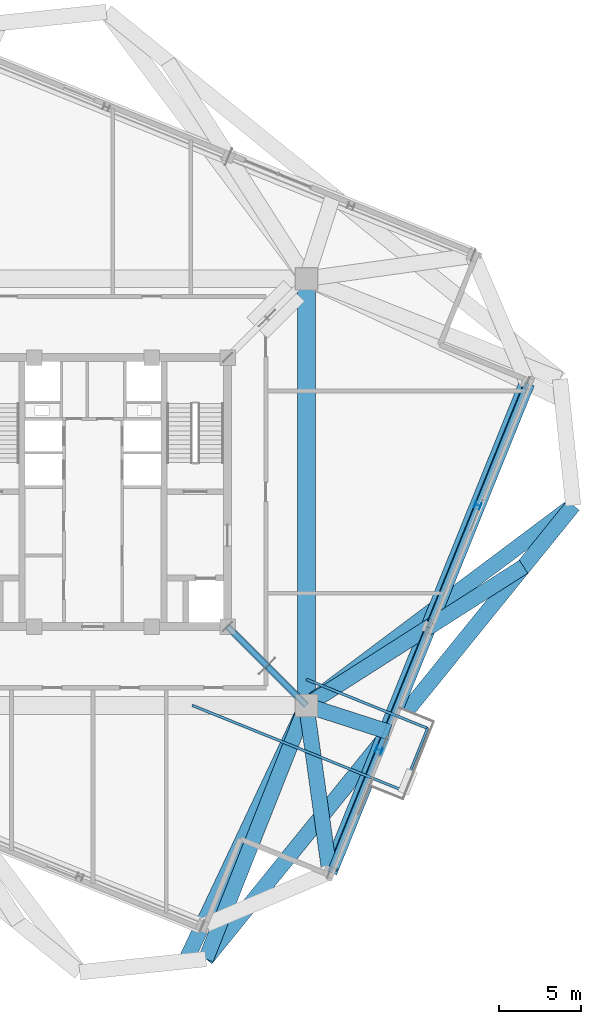
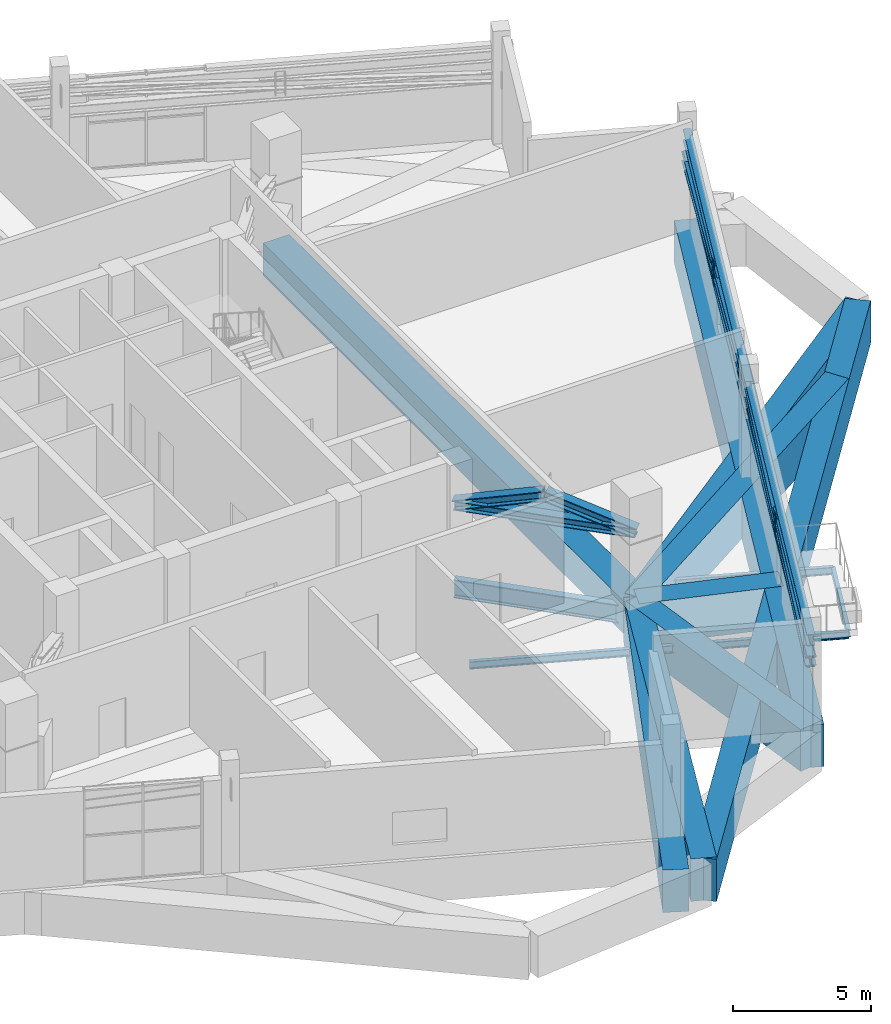
# One storey, part 6 of 20: 15 beams, 11 members.
"""IFC4 building model written with IfcOpenShell, lengths in metres."""

from ifc_helpers import new_model, si_unit, direction, frame, origin, origin_2d, place, context, subcontext, project, spatial, rectangle, i_section, extrude, source, transform, mapped, material, material_profile, profile_set, type_object, element, save


model = new_model("IFC4")

# Units and contexts
model_context = context("Model", 3, precision=1e-05, world=origin(), true_north=direction((0.0, 1.0)))
body_context = subcontext(model_context, "Body", "Model", "MODEL_VIEW")
ifc_project = project(units=[si_unit("LENGTHUNIT", "METRE"), si_unit("AREAUNIT", "SQUARE_METRE"), si_unit("VOLUMEUNIT", "CUBIC_METRE"), si_unit("PLANEANGLEUNIT", "RADIAN"), si_unit("MASSUNIT", "GRAM", prefix="KILO"), si_unit("THERMODYNAMICTEMPERATUREUNIT", "KELVIN")], contexts=[model_context])

# Site, building, storey
site_placement = place(None, origin())
site = spatial("IfcSite", under=ifc_project, at=site_placement, CompositionType="ELEMENT")
building_placement = place(site_placement, origin())
building = spatial("IfcBuilding", under=site, at=building_placement, Name="Kosmvard Interchange Tower", CompositionType="ELEMENT")
storey_placement = place(building_placement, frame((0.0, 0.0, 260.199951171875)))
storey = spatial("IfcBuildingStorey", under=building, at=storey_placement, Name="L63", CompositionType="ELEMENT", Elevation=260.199951171875)

# Beams
ifc_material_1 = material(Name="Concrete C70/85", Category="concrete")
ifc_material_profile_1 = material_profile(ifc_material_1, rectangle(XDim=1.10009765625, YDim=1.43994140625, at=origin_2d()), Name="TG 1100x1440")
ifc_profile_set_1 = profile_set([ifc_material_profile_1], Name="Concrete C70/85")
beam_type_1 = type_object("IfcBeamType", Name="Mega-Frame Transfer Ring Girder 1100x1440 C70/85", PredefinedType="USERDEFINED", material=ifc_profile_set_1)
shared_shape_1 = source(origin(), body_context, "Body", "SweptSolid", [
    extrude(rectangle(XDim=1.10009765625, YDim=1.43994140625, at=origin_2d()), origin(), (0.0, 0.0, 1.0), 26.162109375),
])
beam_1_placement = place(storey_placement, frame((13.0810546875, -13.0810546875, -0.719970703125), z_axis=(0.0, 1.0, 0.0), x_axis=(-1.0, 0.0, 0.0)))
element("IfcBeam", 1, at=beam_1_placement, inside=storey, type_object=beam_type_1, Name="L63 Mega-Column Ring Girder 2", ObjectType="TRANSFER_GIRDER", PredefinedType="USERDEFINED", context=body_context, shape_type="MappedRepresentation", body=[
    mapped(shared_shape_1, transform((0.0, 0.0, 0.0), scale=1.0)),
])
ifc_material_2 = material(Name="Steel S355", Category="steel")
ifc_material_profile_2 = material_profile(ifc_material_2, i_section(OverallWidth=0.14990234375, OverallDepth=0.300048828125, WebThickness=0.007080078125, FlangeThickness=0.0107421875, FilletRadius=0.014892578125, at=origin_2d()), Name="IPE 300")
ifc_profile_set_2 = profile_set([ifc_material_profile_2], Name="Steel S355")
beam_type_2 = type_object("IfcBeamType", Name="Balcony Edge Header Joist IPE 300 S355", PredefinedType="JOIST", material=ifc_profile_set_2)
shared_shape_2 = source(origin(), body_context, "Body", "SweptSolid", [
    extrude(i_section(OverallWidth=0.14990234375, OverallDepth=0.300048828125, WebThickness=0.007080078125, FlangeThickness=0.0107421875, FilletRadius=0.014892578125, at=origin_2d()), origin(), (0.0, 0.0, 1.0), 4.10009765625),
])
beam_2_placement = place(storey_placement, frame((18.979736328125, -18.2919921875, -0.550048828125), z_axis=(0.37460186541, 0.927185764791, 0.0), x_axis=(-0.927185764791, 0.37460186541, 0.0)))
element("IfcBeam", 2, at=beam_2_placement, inside=storey, type_object=beam_type_2, Name="BM-L63-BJH2", PredefinedType="JOIST", context=body_context, shape_type="MappedRepresentation", body=[
    mapped(shared_shape_2, transform((0.0, 0.0, 0.0), scale=1.0)),
])

# Member
ifc_material_3 = material(Name="Steel S460", Category="steel")
ifc_material_profile_3 = material_profile(ifc_material_3, i_section(OverallWidth=0.40087890625, OverallDepth=0.39892578125, WebThickness=0.0185546875, FlangeThickness=0.028076171875, FilletRadius=0.014892578125, at=origin_2d()), Name="HD 400x314")
ifc_profile_set_3 = profile_set([ifc_material_profile_3], Name="Steel S460")
member_type_1 = type_object("IfcMemberType", Name="Outrigger Top and Bottom Chord HD 400x314 S460", PredefinedType="CHORD", material=ifc_profile_set_3)
shared_shape_3 = source(origin(), body_context, "Body", "SweptSolid", [
    extrude(i_section(OverallWidth=0.40087890625, OverallDepth=0.39892578125, WebThickness=0.0185546875, FlangeThickness=0.028076171875, FilletRadius=0.014892578125, at=origin_2d()), origin(), (0.0, 0.0, 1.0), 6.83203125),
])
member_placement = place(storey_placement, frame((8.25, -8.25, 2.920166015625), z_axis=(0.707106781187, -0.707106781187, 0.0), x_axis=(0.707106781187, 0.707106781187, 0.0)))
element("IfcMember", 3, at=member_placement, inside=storey, type_object=member_type_1, Name="L63 Outrigger Bottom Chord 2", PredefinedType="CHORD", context=body_context, shape_type="MappedRepresentation", body=[
    mapped(shared_shape_3, transform((0.0, 0.0, 0.0), scale=1.0)),
])

# Beams
ifc_material_profile_4 = material_profile(ifc_material_2, i_section(OverallWidth=0.300048828125, OverallDepth=0.800048828125, WebThickness=0.017578125, FlangeThickness=0.032958984375, FilletRadius=0.027099609375, at=origin_2d()), Name="HEB 800")
ifc_profile_set_4 = profile_set([ifc_material_profile_4], Name="Steel S355")
beam_type_3 = type_object("IfcBeamType", Name="Primary Mega-Frame Girder HEB 800 S355", PredefinedType="BEAM", material=ifc_profile_set_4)
shared_shape_4 = source(origin(), body_context, "Body", "SweptSolid", [
    extrude(i_section(OverallWidth=0.300048828125, OverallDepth=0.800048828125, WebThickness=0.017578125, FlangeThickness=0.032958984375, FilletRadius=0.027099609375, at=origin_2d()), origin(), (0.0, 0.0, 1.0), 6.83203125),
])
beam_3_placement = place(storey_placement, frame((8.25, -8.25, -0.800048828125), z_axis=(0.707106781187, -0.707106781187, 0.0), x_axis=(0.707106781187, 0.707106781187, 0.0)))
element("IfcBeam", 4, at=beam_3_placement, inside=storey, type_object=beam_type_3, Name="L63 Radial Mega-Frame Girder 2", PredefinedType="BEAM", context=body_context, shape_type="MappedRepresentation", body=[
    mapped(shared_shape_4, transform((0.0, 0.0, 0.0), scale=1.0)),
])
ifc_material_4 = material(Name="Concrete C60/75", Category="concrete")
ifc_material_profile_5 = material_profile(ifc_material_4, rectangle(XDim=0.949951171875, YDim=1.8798828125, at=origin_2d()), Name="TG 950x1880")
ifc_profile_set_5 = profile_set([ifc_material_profile_5], Name="Concrete C60/75")
beam_type_4 = type_object("IfcBeamType", Name="Upper Long-Span Transfer Girder 950x1880 C60/75", PredefinedType="USERDEFINED", material=ifc_profile_set_5)
shared_shape_5 = source(origin(), body_context, "Body", "SweptSolid", [
    extrude(rectangle(XDim=0.949951171875, YDim=1.8798828125, at=origin_2d()), origin(), (0.0, 0.0, 1.0), 17.89990234375),
])
for number, where, z_axis, x_axis, name in (
    (5, (6.92041015625, -28.636962890625, -0.93994140625), (0.629322990554, 0.777143856413, 0.0), (-0.777143856413, 0.629322990554, 0.0), "BM-L63-LR01"),
    (6, (18.185302734375, -14.72607421875, -0.93994140625), (0.629314753061, 0.777150526976, 0.0), (-0.777150526976, 0.629314753061, 0.0), "BM-L63-LR02"),
):
    element("IfcBeam", number, at=place(storey_placement, frame(where, z_axis=z_axis, x_axis=x_axis)), inside=storey, type_object=beam_type_4, Name=name, ObjectType="TRANSFER_GIRDER", PredefinedType="USERDEFINED", context=body_context, shape_type="MappedRepresentation", body=[
        mapped(shared_shape_5, transform((0.0, 0.0, 0.0), scale=1.0)),
    ])
shared_shape_6 = source(origin(), body_context, "Body", "SweptSolid", [
    extrude(rectangle(XDim=0.949951171875, YDim=1.8798828125, at=origin_2d()), origin(), (0.0, 0.0, 1.0), 16.7314453125),
])
beam_4_placement = place(storey_placement, frame((13.0810546875, -13.0810546875, -0.93994140625), z_axis=(-0.368208500474, -0.929743244223, 0.0), x_axis=(0.929743244223, -0.368208500474, 0.0)))
element("IfcBeam", 7, at=beam_4_placement, inside=storey, type_object=beam_type_4, Name="BM-L63-LD01", ObjectType="TRANSFER_GIRDER", PredefinedType="USERDEFINED", context=body_context, shape_type="MappedRepresentation", body=[
    mapped(shared_shape_6, transform((0.0, 0.0, 0.0), scale=1.0)),
])
ifc_material_profile_6 = material_profile(ifc_material_4, rectangle(XDim=0.949951171875, YDim=1.85009765625, at=origin_2d()), Name="TG 950x1850")
ifc_profile_set_6 = profile_set([ifc_material_profile_6], Name="Concrete C60/75")
beam_type_5 = type_object("IfcBeamType", Name="Upper Transfer Ring Girder 950x1850 C60/75", PredefinedType="USERDEFINED", material=ifc_profile_set_6)
shared_shape_7 = source(origin(), body_context, "Body", "SweptSolid", [
    extrude(rectangle(XDim=0.949951171875, YDim=1.85009765625, at=origin_2d()), origin(), (0.0, 0.0, 1.0), 5.36279296875),
])
beam_5_placement = place(storey_placement, frame((13.0810546875, -13.0810546875, -0.925048828125), z_axis=(0.951790966135, -0.306747382686, 0.0), x_axis=(0.306747382686, 0.951790966135, 0.0)))
element("IfcBeam", 8, at=beam_5_placement, inside=storey, type_object=beam_type_5, Name="BM-L63-LD02", ObjectType="TRANSFER_GIRDER", PredefinedType="USERDEFINED", context=body_context, shape_type="MappedRepresentation", body=[
    mapped(shared_shape_7, transform((0.0, 0.0, 0.0), scale=1.0)),
])
shared_shape_8 = source(origin(), body_context, "Body", "SweptSolid", [
    extrude(rectangle(XDim=0.949951171875, YDim=1.8798828125, at=origin_2d()), origin(), (0.0, 0.0, 1.0), 20.45458984375),
])
beam_6_placement = place(storey_placement, frame((13.0810546875, -13.0810546875, -0.93994140625), z_axis=(0.800253443036, 0.599661927179, 0.0), x_axis=(-0.599661927179, 0.800253443036, 0.0)))
element("IfcBeam", 9, at=beam_6_placement, inside=storey, type_object=beam_type_4, Name="BM-L63-LD03", ObjectType="TRANSFER_GIRDER", PredefinedType="USERDEFINED", context=body_context, shape_type="MappedRepresentation", body=[
    mapped(shared_shape_8, transform((0.0, 0.0, 0.0), scale=1.0)),
])
shared_shape_9 = source(origin(), body_context, "Body", "SweptSolid", [
    extrude(rectangle(XDim=0.949951171875, YDim=1.85009765625, at=origin_2d()), origin(), (0.0, 0.0, 1.0), 10.3212890625),
])
beam_7_placement = place(storey_placement, frame((13.0810546875, -13.0810546875, -0.925048828125), z_axis=(0.137572239014, -0.990491735984, 0.0), x_axis=(0.990491735984, 0.137572239014, 0.0)))
element("IfcBeam", 10, at=beam_7_placement, inside=storey, type_object=beam_type_5, Name="BM-L63-RD01", ObjectType="TRANSFER_GIRDER", PredefinedType="USERDEFINED", context=body_context, shape_type="MappedRepresentation", body=[
    mapped(shared_shape_9, transform((0.0, 0.0, 0.0), scale=1.0)),
])
shared_shape_10 = source(origin(), body_context, "Body", "SweptSolid", [
    extrude(rectangle(XDim=0.949951171875, YDim=1.8798828125, at=origin_2d()), origin(), (0.0, 0.0, 1.0), 16.175048828125),
])
beam_8_placement = place(storey_placement, frame((14.5009765625, -23.30419921875, -0.93994140625), z_axis=(0.374607540279, 0.927183472009, 0.0), x_axis=(-0.927183472009, 0.374607540279, 0.0)))
element("IfcBeam", 11, at=beam_8_placement, inside=storey, type_object=beam_type_4, Name="BM-L63-PR01", ObjectType="TRANSFER_GIRDER", PredefinedType="USERDEFINED", context=body_context, shape_type="MappedRepresentation", body=[
    mapped(shared_shape_10, transform((0.0, 0.0, 0.0), scale=1.0)),
])
shared_shape_11 = source(origin(), body_context, "Body", "SweptSolid", [
    extrude(rectangle(XDim=0.949951171875, YDim=1.8798828125, at=origin_2d()), origin(), (0.0, 0.0, 1.0), 15.8056640625),
])
beam_9_placement = place(storey_placement, frame((13.0810546875, -13.0810546875, -0.93994140625), z_axis=(0.842914607975, 0.538047361913, 0.0), x_axis=(-0.538047361913, 0.842914607975, 0.0)))
element("IfcBeam", 12, at=beam_9_placement, inside=storey, type_object=beam_type_4, Name="BM-L63-RD02", ObjectType="TRANSFER_GIRDER", PredefinedType="USERDEFINED", context=body_context, shape_type="MappedRepresentation", body=[
    mapped(shared_shape_11, transform((0.0, 0.0, 0.0), scale=1.0)),
])
shared_shape_12 = source(origin(), body_context, "Body", "SweptSolid", [
    extrude(rectangle(XDim=0.949951171875, YDim=1.8798828125, at=origin_2d()), origin(), (0.0, 0.0, 1.0), 16.1748046875),
])
beam_10_placement = place(storey_placement, frame((20.560302734375, -8.306884765625, -0.93994140625), z_axis=(0.374612782798, 0.92718135387, 0.0), x_axis=(-0.92718135387, 0.374612782798, 0.0)))
element("IfcBeam", 13, at=beam_10_placement, inside=storey, type_object=beam_type_4, Name="BM-L63-PR02", ObjectType="TRANSFER_GIRDER", PredefinedType="USERDEFINED", context=body_context, shape_type="MappedRepresentation", body=[
    mapped(shared_shape_12, transform((0.0, 0.0, 0.0), scale=1.0)),
])
shared_shape_13 = source(origin(), body_context, "Body", "SweptSolid", [
    extrude(rectangle(XDim=0.949951171875, YDim=1.8798828125, at=origin_2d()), origin(), (0.0, 0.0, 1.0), 17.3466796875),
])
beam_11_placement = place(storey_placement, frame((13.0810546875, -13.0810546875, -0.93994140625), z_axis=(-0.426871720747, -0.904312188366, 0.0), x_axis=(0.904312188366, -0.426871720747, 0.0)))
element("IfcBeam", 14, at=beam_11_placement, inside=storey, type_object=beam_type_4, Name="BM-L63-RD12", ObjectType="TRANSFER_GIRDER", PredefinedType="USERDEFINED", context=body_context, shape_type="MappedRepresentation", body=[
    mapped(shared_shape_13, transform((0.0, 0.0, 0.0), scale=1.0)),
])
ifc_material_profile_7 = material_profile(ifc_material_2, i_section(OverallWidth=0.159912109375, OverallDepth=0.330078125, WebThickness=0.007568359375, FlangeThickness=0.011474609375, FilletRadius=0.01806640625, at=origin_2d()), Name="IPE 330")
ifc_profile_set_7 = profile_set([ifc_material_profile_7], Name="Steel S355")
beam_type_6 = type_object("IfcBeamType", Name="Balcony Cantilever Joist IPE 330 S355", PredefinedType="JOIST", material=ifc_profile_set_7)
shared_shape_14 = source(origin(), body_context, "Body", "SweptSolid", [
    extrude(i_section(OverallWidth=0.159912109375, OverallDepth=0.330078125, WebThickness=0.007568359375, FlangeThickness=0.011474609375, FilletRadius=0.01806640625, at=origin_2d()), origin(), (0.0, 0.0, 1.0), 13.910400390625),
])
beam_12_placement = place(storey_placement, frame((6.082275390625, -13.0810546875, -0.56494140625), z_axis=(0.927183229475, -0.374608140568, 0.0), x_axis=(0.374608140568, 0.927183229475, 0.0)))
element("IfcBeam", 15, at=beam_12_placement, inside=storey, type_object=beam_type_6, Name="BM-L63-BJ2", PredefinedType="JOIST", context=body_context, shape_type="MappedRepresentation", body=[
    mapped(shared_shape_14, transform((0.0, 0.0, 0.0), scale=1.0)),
])
shared_shape_15 = source(origin(), body_context, "Body", "SweptSolid", [
    extrude(i_section(OverallWidth=0.159912109375, OverallDepth=0.330078125, WebThickness=0.007568359375, FlangeThickness=0.011474609375, FilletRadius=0.01806640625, at=origin_2d()), origin(), (0.0, 0.0, 1.0), 8.0185546875),
])
beam_13_placement = place(storey_placement, frame((13.0810546875, -11.486572265625, -0.56494140625), z_axis=(0.927177579424, -0.374622124564, 0.0), x_axis=(0.374622124564, 0.927177579424, 0.0)))
element("IfcBeam", 16, at=beam_13_placement, inside=storey, type_object=beam_type_6, Name="BM-L63-BJB2", PredefinedType="JOIST", context=body_context, shape_type="MappedRepresentation", body=[
    mapped(shared_shape_15, transform((0.0, 0.0, 0.0), scale=1.0)),
])

# Members
ifc_material_profile_8 = material_profile(ifc_material_3, i_section(OverallWidth=0.408935546875, OverallDepth=0.425048828125, WebThickness=0.02392578125, FlangeThickness=0.0390625, FilletRadius=0.014892578125, at=origin_2d()), Name="HD 400x421")
ifc_profile_set_8 = profile_set([ifc_material_profile_8], Name="Steel S460")
member_type_2 = type_object("IfcMemberType", Name="Radial Outrigger Diagonal HD 400x421 S460", PredefinedType="BRACE", material=ifc_profile_set_8)
shared_shape_16 = source(origin(), body_context, "Body", "SweptSolid", [
    extrude(i_section(OverallWidth=0.408935546875, OverallDepth=0.425048828125, WebThickness=0.02392578125, FlangeThickness=0.0390625, FilletRadius=0.014892578125, at=origin_2d()), origin(), (0.0, 0.0, 1.0), 3.56787109375),
])
for number, where, z_axis, x_axis, name in (
    (17, (8.25, -8.25, 2.920166015625), (0.677014108708, -0.677014108708, 0.288623965083), (0.707106781187, 0.707106781187, 0.0), "L63 Outrigger Diagonal 2A"),
    (18, (10.66552734375, -10.66552734375, 3.949951171875), (0.677014108708, -0.677014108708, -0.288623965083), (0.707106781187, 0.707106781187, 0.0), "L63 Outrigger Diagonal 2B"),
):
    element("IfcMember", number, at=place(storey_placement, frame(where, z_axis=z_axis, x_axis=x_axis)), inside=storey, type_object=member_type_2, Name=name, PredefinedType="BRACE", context=body_context, shape_type="MappedRepresentation", body=[
        mapped(shared_shape_16, transform((0.0, 0.0, 0.0), scale=1.0)),
    ])
ifc_material_profile_9 = material_profile(ifc_material_3, i_section(OverallWidth=0.300048828125, OverallDepth=0.5, WebThickness=0.014404296875, FlangeThickness=0.028076171875, FilletRadius=0.027099609375, at=origin_2d()), Name="HEB 500")
ifc_profile_set_9 = profile_set([ifc_material_profile_9], Name="Steel S460")
member_type_3 = type_object("IfcMemberType", Name="Belt Truss Chord HEB 500 S460", PredefinedType="CHORD", material=ifc_profile_set_9)
shared_shape_17 = source(origin(), body_context, "Body", "SweptSolid", [
    extrude(i_section(OverallWidth=0.300048828125, OverallDepth=0.5, WebThickness=0.014404296875, FlangeThickness=0.028076171875, FilletRadius=0.027099609375, at=origin_2d()), origin(), (0.0, 0.0, 1.0), 16.175048828125),
])
for number, where, z_axis, x_axis, name in (
    (19, (14.5009765625, -23.30419921875, 2.820068359375), (0.374607540279, 0.927183472009, 0.0), (-0.927183472009, 0.374607540279, 0.0), "L63 Belt Truss Bottom Chord S1"),
    (20, (14.5009765625, -23.30419921875, 3.77001953125), (0.374607540279, 0.927183472009, 0.0), (-0.927183472009, 0.374607540279, 0.0), "L63 Belt Truss Top Chord S1"),
):
    element("IfcMember", number, at=place(storey_placement, frame(where, z_axis=z_axis, x_axis=x_axis)), inside=storey, type_object=member_type_3, Name=name, PredefinedType="CHORD", context=body_context, shape_type="MappedRepresentation", body=[
        mapped(shared_shape_17, transform((0.0, 0.0, 0.0), scale=1.0)),
    ])
shared_shape_18 = source(origin(), body_context, "Body", "SweptSolid", [
    extrude(i_section(OverallWidth=0.300048828125, OverallDepth=0.5, WebThickness=0.014404296875, FlangeThickness=0.028076171875, FilletRadius=0.027099609375, at=origin_2d()), origin(), (0.0, 0.0, 1.0), 16.1748046875),
])
for number, where, z_axis, x_axis, name in (
    (21, (20.560302734375, -8.306884765625, 2.820068359375), (0.374612782798, 0.92718135387, 0.0), (-0.92718135387, 0.374612782798, 0.0), "L63 Belt Truss Bottom Chord S2"),
    (22, (20.560302734375, -8.306884765625, 3.77001953125), (0.374612782798, 0.92718135387, 0.0), (-0.92718135387, 0.374612782798, 0.0), "L63 Belt Truss Top Chord S2"),
):
    element("IfcMember", number, at=place(storey_placement, frame(where, z_axis=z_axis, x_axis=x_axis)), inside=storey, type_object=member_type_3, Name=name, PredefinedType="CHORD", context=body_context, shape_type="MappedRepresentation", body=[
        mapped(shared_shape_18, transform((0.0, 0.0, 0.0), scale=1.0)),
    ])
ifc_material_profile_10 = material_profile(ifc_material_3, i_section(OverallWidth=0.3759765625, OverallDepth=0.386962890625, WebThickness=0.01953125, FlangeThickness=0.031982421875, FilletRadius=0.014892578125, at=origin_2d()), Name="HD 360x329")
ifc_profile_set_10 = profile_set([ifc_material_profile_10], Name="Steel S460")
member_type_4 = type_object("IfcMemberType", Name="Belt Truss Vertical Post HD 360x329 S460", PredefinedType="STUD", material=ifc_profile_set_10)
shared_shape_19 = source(origin(), body_context, "Body", "SweptSolid", [
    extrude(i_section(OverallWidth=0.3759765625, OverallDepth=0.386962890625, WebThickness=0.01953125, FlangeThickness=0.031982421875, FilletRadius=0.014892578125, at=origin_2d()), origin(), (0.0, 0.0, 1.0), 0.949951171875),
])
for number, where, z_axis, x_axis, name in (
    (23, (17.53076171875, -15.805419921875, 2.820068359375), (0.0, 0.0, 1.0), (0.374606593416, 0.927183854567, 0.0), "L63 Belt Truss Post S1"),
    (24, (23.58984375, -0.808349609375, 2.820068359375), (0.0, 0.0, 1.0), (0.374606593416, 0.927183854567, 0.0), "L63 Belt Truss Post S2"),
):
    element("IfcMember", number, at=place(storey_placement, frame(where, z_axis=z_axis, x_axis=x_axis)), inside=storey, type_object=member_type_4, Name=name, PredefinedType="STUD", context=body_context, shape_type="MappedRepresentation", body=[
        mapped(shared_shape_19, transform((0.0, 0.0, 0.0), scale=1.0)),
    ])
ifc_material_profile_11 = material_profile(ifc_material_3, i_section(OverallWidth=0.406005859375, OverallDepth=0.416015625, WebThickness=0.021484375, FlangeThickness=0.034912109375, FilletRadius=0.014892578125, at=origin_2d()), Name="HD 400x382")
ifc_profile_set_11 = profile_set([ifc_material_profile_11], Name="Steel S460")
member_type_5 = type_object("IfcMemberType", Name="Perimeter Belt Truss Diagonal HD 400x382 S460", PredefinedType="BRACE", material=ifc_profile_set_11)
shared_shape_20 = source(origin(), body_context, "Body", "SweptSolid", [
    extrude(i_section(OverallWidth=0.406005859375, OverallDepth=0.416015625, WebThickness=0.021484375, FlangeThickness=0.034912109375, FilletRadius=0.014892578125, at=origin_2d()), origin(), (0.0, 0.0, 1.0), 16.202880859375),
])
for number, where, z_axis, x_axis, name in (
    (25, (14.5009765625, -23.30419921875, 2.820068359375), (0.373963175524, 0.925588617964, 0.058628096054), (-0.927183472009, 0.374607540279, 0.0), "L63 Belt Truss Diagonal S1"),
    (26, (26.61962890625, 6.690185546875, 2.820068359375), (-0.373968391036, -0.925586458945, 0.058628913716), (0.92718135387, -0.374612782798, 0.0), "L63 Belt Truss Diagonal S2"),
):
    element("IfcMember", number, at=place(storey_placement, frame(where, z_axis=z_axis, x_axis=x_axis)), inside=storey, type_object=member_type_5, Name=name, PredefinedType="BRACE", context=body_context, shape_type="MappedRepresentation", body=[
        mapped(shared_shape_20, transform((0.0, 0.0, 0.0), scale=1.0)),
    ])

save(model, "model.ifc")
